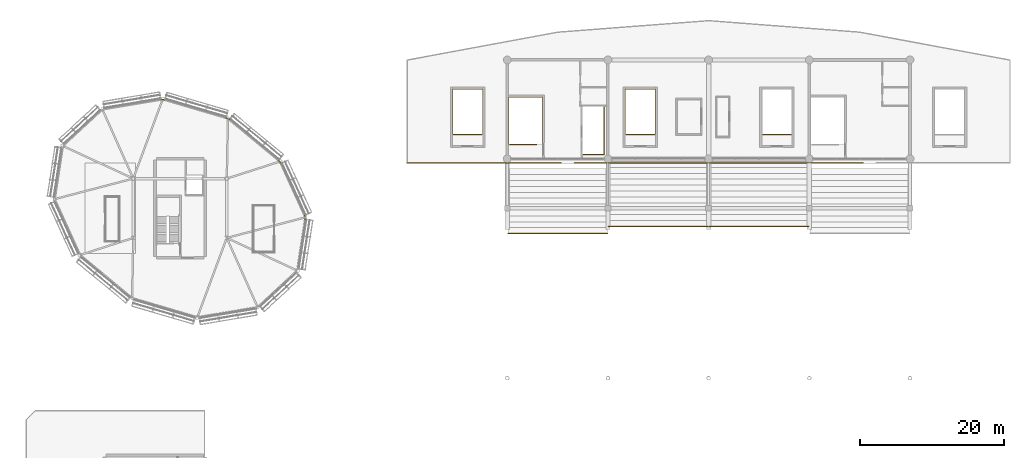
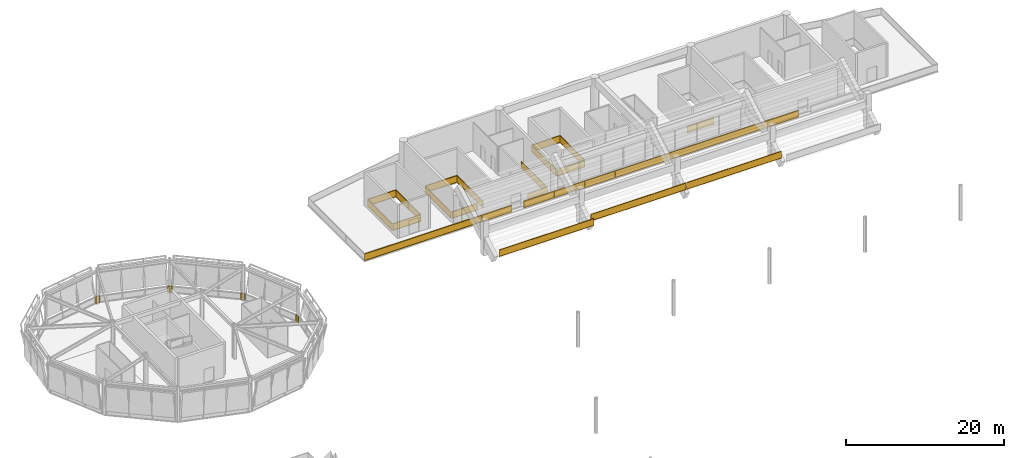
# One storey, part 87 of 90: 17 railings.
"""IFC4 building model written with IfcOpenShell, lengths in metres."""

from ifc_helpers import new_model, si_unit, direction, frame, origin, origin_2d, place, context, subcontext, project, spatial, rectangle, extrude, material, type_object, element, save


model = new_model("IFC4")

# Units and contexts
model_context = context("Model", 3, precision=1e-05, world=origin(), true_north=direction((0.0, 1.0)))
body_context = subcontext(model_context, "Body", "Model", "MODEL_VIEW")
ifc_project = project(units=[si_unit("LENGTHUNIT", "METRE"), si_unit("AREAUNIT", "SQUARE_METRE"), si_unit("VOLUMEUNIT", "CUBIC_METRE"), si_unit("PLANEANGLEUNIT", "RADIAN"), si_unit("MASSUNIT", "GRAM", prefix="KILO")], contexts=[model_context])

# Site, building, storey
site_placement = place(None, origin())
site = spatial("IfcSite", under=ifc_project, at=site_placement, CompositionType="ELEMENT")
building_placement = place(site_placement, origin())
building = spatial("IfcBuilding", under=site, at=building_placement, Name="Linyun Crest Stadium", CompositionType="ELEMENT")
storey_placement = place(building_placement, frame((0.0, 0.0, 21.0)))
storey = spatial("IfcBuildingStorey", under=building, at=storey_placement, Name="L05", CompositionType="ELEMENT", Elevation=21.0)

# Railings
ifc_material_1 = material(Name="Galvanized and powder-coated steel bowl safety barrier", Category="steel")
railing_type_1 = type_object("IfcRailingType", Name="GR02", PredefinedType="GUARDRAIL", material=ifc_material_1)
for number, where, name in (
    (1, (-27.919921875, 81.10009765625, 1.64990234375), "Bowl front safety guard GR02 60"),
    (2, (-13.919921875, 82.10009765625, 1.64990234375), "Bowl front safety guard GR02 67"),
    (3, (0.080078125, 82.10009765625, 1.64990234375), "Bowl front safety guard GR02 74"),
):
    element("IfcRailing", number, at=place(storey_placement, frame(where)), inside=storey, type_object=railing_type_1, Name=name, PredefinedType="GUARDRAIL", context=body_context, shape_type="SweptSolid", body=[
        extrude(rectangle(XDim=0.06005859375, YDim=0.06005859375, at=origin_2d()), frame((0.0, 0.0, 1.090087890625), z_axis=(1.0, 0.0, 0.0), x_axis=(0.0, 1.0, 0.0)), (0.0, 0.0, 1.0), 13.83984375),
        extrude(rectangle(XDim=0.030029296875, YDim=1.0, at=origin_2d()), frame((0.0, 0.0, 0.56005859375), z_axis=(1.0, 0.0, 0.0), x_axis=(0.0, 1.0, 0.0)), (0.0, 0.0, 1.0), 13.83984375),
        extrude(rectangle(XDim=0.06005859375, YDim=0.06005859375, at=origin_2d()), frame((0.0, 0.0, 0.030029296875), z_axis=(1.0, 0.0, 0.0), x_axis=(0.0, 1.0, 0.0)), (0.0, 0.0, 1.0), 13.83984375),
        extrude(rectangle(XDim=0.050048828125, YDim=0.050048828125, at=origin_2d()), origin(), (0.0, 0.0, 1.0), 1.1201171875),
        extrude(rectangle(XDim=0.050048828125, YDim=0.050048828125, at=origin_2d()), frame((2.306640625, 0.0, 0.0)), (0.0, 0.0, 1.0), 1.1201171875),
        extrude(rectangle(XDim=0.050048828125, YDim=0.050048828125, at=origin_2d()), frame((4.61328125, 0.0, 0.0)), (0.0, 0.0, 1.0), 1.1201171875),
        extrude(rectangle(XDim=0.050048828125, YDim=0.050048828125, at=origin_2d()), frame((6.919921875, 0.0, 0.0)), (0.0, 0.0, 1.0), 1.1201171875),
        extrude(rectangle(XDim=0.050048828125, YDim=0.050048828125, at=origin_2d()), frame((9.2265625, 0.0, 0.0)), (0.0, 0.0, 1.0), 1.1201171875),
        extrude(rectangle(XDim=0.050048828125, YDim=0.050048828125, at=origin_2d()), frame((11.533203125, 0.0, 0.0)), (0.0, 0.0, 1.0), 1.1201171875),
        extrude(rectangle(XDim=0.050048828125, YDim=0.050048828125, at=origin_2d()), frame((13.83984375, 0.0, 0.0)), (0.0, 0.0, 1.0), 1.1201171875),
    ])
railing_1_placement = place(storey_placement, frame((21.5, 90.919921875, 0.0)))
element("IfcRailing", 4, at=railing_1_placement, inside=storey, type_object=railing_type_1, Name="Slab edge balustrade GR02 230", PredefinedType="GUARDRAIL", context=body_context, shape_type="SweptSolid", body=[
    extrude(rectangle(XDim=0.06005859375, YDim=0.06005859375, at=origin_2d()), frame((0.0, 0.0, 1.090087890625), z_axis=(-1.0, 0.0, 0.0), x_axis=(0.0, -1.0, 0.0)), (0.0, 0.0, 1.0), 40.137939453125),
    extrude(rectangle(XDim=0.030029296875, YDim=1.0, at=origin_2d()), frame((0.0, 0.0, 0.56005859375), z_axis=(-1.0, 0.0, 0.0), x_axis=(0.0, -1.0, 0.0)), (0.0, 0.0, 1.0), 40.137939453125),
    extrude(rectangle(XDim=0.06005859375, YDim=0.06005859375, at=origin_2d()), frame((0.0, 0.0, 0.030029296875), z_axis=(-1.0, 0.0, 0.0), x_axis=(0.0, -1.0, 0.0)), (0.0, 0.0, 1.0), 40.137939453125),
    extrude(rectangle(XDim=0.050048828125, YDim=0.050048828125, at=origin_2d()), origin(), (0.0, 0.0, 1.0), 1.1201171875),
    extrude(rectangle(XDim=0.050048828125, YDim=0.050048828125, at=origin_2d()), frame((-4.459716796875, 0.0, 0.0)), (0.0, 0.0, 1.0), 1.1201171875),
    extrude(rectangle(XDim=0.050048828125, YDim=0.050048828125, at=origin_2d()), frame((-8.91943359375, 0.0, 0.0)), (0.0, 0.0, 1.0), 1.1201171875),
    extrude(rectangle(XDim=0.050048828125, YDim=0.050048828125, at=origin_2d()), frame((-13.37939453125, 0.0, 0.0)), (0.0, 0.0, 1.0), 1.1201171875),
    extrude(rectangle(XDim=0.050048828125, YDim=0.050048828125, at=origin_2d()), frame((-17.839111328125, 0.0, 0.0)), (0.0, 0.0, 1.0), 1.1201171875),
    extrude(rectangle(XDim=0.050048828125, YDim=0.050048828125, at=origin_2d()), frame((-22.298828125, 0.0, 0.0)), (0.0, 0.0, 1.0), 1.1201171875),
    extrude(rectangle(XDim=0.050048828125, YDim=0.050048828125, at=origin_2d()), frame((-26.758544921875, 0.0, 0.0)), (0.0, 0.0, 1.0), 1.1201171875),
    extrude(rectangle(XDim=0.050048828125, YDim=0.050048828125, at=origin_2d()), frame((-31.218505859375, 0.0, 0.0)), (0.0, 0.0, 1.0), 1.1201171875),
    extrude(rectangle(XDim=0.050048828125, YDim=0.050048828125, at=origin_2d()), frame((-35.67822265625, 0.0, 0.0)), (0.0, 0.0, 1.0), 1.1201171875),
    extrude(rectangle(XDim=0.050048828125, YDim=0.050048828125, at=origin_2d()), frame((-40.137939453125, 0.0, 0.0)), (0.0, 0.0, 1.0), 1.1201171875),
])
railing_2_placement = place(storey_placement, frame((-20.498046875, 90.919921875, 0.0)))
element("IfcRailing", 5, at=railing_2_placement, inside=storey, type_object=railing_type_1, Name="Slab edge balustrade GR02 231", PredefinedType="GUARDRAIL", context=body_context, shape_type="SweptSolid", body=[
    extrude(rectangle(XDim=0.06005859375, YDim=0.06005859375, at=origin_2d()), frame((0.0, 0.0, 1.090087890625), z_axis=(-1.0, 0.0, 0.0), x_axis=(0.0, -1.0, 0.0)), (0.0, 0.0, 1.0), 21.44189453125),
    extrude(rectangle(XDim=0.030029296875, YDim=1.0, at=origin_2d()), frame((0.0, 0.0, 0.56005859375), z_axis=(-1.0, 0.0, 0.0), x_axis=(0.0, -1.0, 0.0)), (0.0, 0.0, 1.0), 21.44189453125),
    extrude(rectangle(XDim=0.06005859375, YDim=0.06005859375, at=origin_2d()), frame((0.0, 0.0, 0.030029296875), z_axis=(-1.0, 0.0, 0.0), x_axis=(0.0, -1.0, 0.0)), (0.0, 0.0, 1.0), 21.44189453125),
    extrude(rectangle(XDim=0.050048828125, YDim=0.050048828125, at=origin_2d()), origin(), (0.0, 0.0, 1.0), 1.1201171875),
    extrude(rectangle(XDim=0.050048828125, YDim=0.050048828125, at=origin_2d()), frame((-4.288330078125, 0.0, 0.0)), (0.0, 0.0, 1.0), 1.1201171875),
    extrude(rectangle(XDim=0.050048828125, YDim=0.050048828125, at=origin_2d()), frame((-8.57666015625, 0.0, 0.0)), (0.0, 0.0, 1.0), 1.1201171875),
    extrude(rectangle(XDim=0.050048828125, YDim=0.050048828125, at=origin_2d()), frame((-12.865234375, 0.0, 0.0)), (0.0, 0.0, 1.0), 1.1201171875),
    extrude(rectangle(XDim=0.050048828125, YDim=0.050048828125, at=origin_2d()), frame((-17.153564453125, 0.0, 0.0)), (0.0, 0.0, 1.0), 1.1201171875),
    extrude(rectangle(XDim=0.050048828125, YDim=0.050048828125, at=origin_2d()), frame((-21.44189453125, 0.0, 0.0)), (0.0, 0.0, 1.0), 1.1201171875),
])
for number, where, name in (
    (6, (7.5400390625, 94.889892578125, 0.0), "Slab edge balustrade GR02 234"),
    (7, (-11.4599609375, 94.889892578125, 0.0), "Slab edge balustrade GR02 235"),
):
    element("IfcRailing", number, at=place(storey_placement, frame(where)), inside=storey, type_object=railing_type_1, Name=name, PredefinedType="GUARDRAIL", context=body_context, shape_type="SweptSolid", body=[
        extrude(rectangle(XDim=0.06005859375, YDim=0.06005859375, at=origin_2d()), frame((0.0, 0.0, 1.090087890625), z_axis=(1.0, 0.0, 0.0), x_axis=(0.0, 1.0, 0.0)), (0.0, 0.0, 1.0), 3.919921875),
        extrude(rectangle(XDim=0.030029296875, YDim=1.0, at=origin_2d()), frame((0.0, 0.0, 0.56005859375), z_axis=(1.0, 0.0, 0.0), x_axis=(0.0, 1.0, 0.0)), (0.0, 0.0, 1.0), 3.919921875),
        extrude(rectangle(XDim=0.06005859375, YDim=0.06005859375, at=origin_2d()), frame((0.0, 0.0, 0.030029296875), z_axis=(1.0, 0.0, 0.0), x_axis=(0.0, 1.0, 0.0)), (0.0, 0.0, 1.0), 3.919921875),
        extrude(rectangle(XDim=0.050048828125, YDim=0.050048828125, at=origin_2d()), origin(), (0.0, 0.0, 1.0), 1.1201171875),
        extrude(rectangle(XDim=0.050048828125, YDim=0.050048828125, at=origin_2d()), frame((3.919921875, 0.0, 0.0)), (0.0, 0.0, 1.0), 1.1201171875),
    ])
railing_3_placement = place(storey_placement, frame((-17.419921875, 92.090087890625, 0.0)))
element("IfcRailing", 8, at=railing_3_placement, inside=storey, type_object=railing_type_1, Name="Slab edge balustrade GR02 236", PredefinedType="GUARDRAIL", context=body_context, shape_type="SweptSolid", body=[
    extrude(rectangle(XDim=0.06005859375, YDim=0.06005859375, at=origin_2d()), frame((0.0, 0.0, 1.090087890625), z_axis=(1.0, 0.0, 0.0), x_axis=(0.0, 1.0, 0.0)), (0.0, 0.0, 1.0), 2.8798828125),
    extrude(rectangle(XDim=0.030029296875, YDim=1.0, at=origin_2d()), frame((0.0, 0.0, 0.56005859375), z_axis=(1.0, 0.0, 0.0), x_axis=(0.0, 1.0, 0.0)), (0.0, 0.0, 1.0), 2.8798828125),
    extrude(rectangle(XDim=0.06005859375, YDim=0.06005859375, at=origin_2d()), frame((0.0, 0.0, 0.030029296875), z_axis=(1.0, 0.0, 0.0), x_axis=(0.0, 1.0, 0.0)), (0.0, 0.0, 1.0), 2.8798828125),
    extrude(rectangle(XDim=0.06005859375, YDim=0.06005859375, at=origin_2d()), frame((2.8798828125, 0.0, 1.090087890625), z_axis=(0.0, 1.0, 0.0), x_axis=(-1.0, 0.0, 0.0)), (0.0, 0.0, 1.0), 6.5498046875),
    extrude(rectangle(XDim=0.030029296875, YDim=1.0, at=origin_2d()), frame((2.8798828125, 0.0, 0.56005859375), z_axis=(0.0, 1.0, 0.0), x_axis=(-1.0, 0.0, 0.0)), (0.0, 0.0, 1.0), 6.5498046875),
    extrude(rectangle(XDim=0.06005859375, YDim=0.06005859375, at=origin_2d()), frame((2.8798828125, 0.0, 0.030029296875), z_axis=(0.0, 1.0, 0.0), x_axis=(-1.0, 0.0, 0.0)), (0.0, 0.0, 1.0), 6.5498046875),
    extrude(rectangle(XDim=0.050048828125, YDim=0.050048828125, at=origin_2d()), origin(), (0.0, 0.0, 1.0), 1.1201171875),
    extrude(rectangle(XDim=0.050048828125, YDim=0.050048828125, at=origin_2d()), frame((2.8798828125, 0.0, 0.0)), (0.0, 0.0, 1.0), 1.1201171875),
    extrude(rectangle(XDim=0.050048828125, YDim=0.050048828125, at=origin_2d()), frame((2.8798828125, 3.27490234375, 0.0)), (0.0, 0.0, 1.0), 1.1201171875),
    extrude(rectangle(XDim=0.050048828125, YDim=0.050048828125, at=origin_2d()), frame((2.8798828125, 6.5498046875, 0.0)), (0.0, 0.0, 1.0), 1.1201171875),
])
railing_4_placement = place(storey_placement, frame((-27.68505859375, 93.4599609375, 0.0)))
element("IfcRailing", 9, at=railing_4_placement, inside=storey, type_object=railing_type_1, Name="Slab edge balustrade GR02 237", PredefinedType="GUARDRAIL", context=body_context, shape_type="SweptSolid", body=[
    extrude(rectangle(XDim=0.06005859375, YDim=0.06005859375, at=origin_2d()), frame((0.0, 0.0, 1.090087890625), z_axis=(1.0, 0.0, 0.0), x_axis=(0.0, 1.0, 0.0)), (0.0, 0.0, 1.0), 3.78515625),
    extrude(rectangle(XDim=0.030029296875, YDim=1.0, at=origin_2d()), frame((0.0, 0.0, 0.56005859375), z_axis=(1.0, 0.0, 0.0), x_axis=(0.0, 1.0, 0.0)), (0.0, 0.0, 1.0), 3.78515625),
    extrude(rectangle(XDim=0.06005859375, YDim=0.06005859375, at=origin_2d()), frame((0.0, 0.0, 0.030029296875), z_axis=(1.0, 0.0, 0.0), x_axis=(0.0, 1.0, 0.0)), (0.0, 0.0, 1.0), 3.78515625),
    extrude(rectangle(XDim=0.050048828125, YDim=0.050048828125, at=origin_2d()), origin(), (0.0, 0.0, 1.0), 1.1201171875),
    extrude(rectangle(XDim=0.050048828125, YDim=0.050048828125, at=origin_2d()), frame((3.78515625, 0.0, 0.0)), (0.0, 0.0, 1.0), 1.1201171875),
])
railing_5_placement = place(storey_placement, frame((-35.4599609375, 94.889892578125, 0.0)))
element("IfcRailing", 10, at=railing_5_placement, inside=storey, type_object=railing_type_1, Name="Slab edge balustrade GR02 238", PredefinedType="GUARDRAIL", context=body_context, shape_type="SweptSolid", body=[
    extrude(rectangle(XDim=0.06005859375, YDim=0.06005859375, at=origin_2d()), frame((0.0, 0.0, 1.090087890625), z_axis=(1.0, 0.0, 0.0), x_axis=(0.0, 1.0, 0.0)), (0.0, 0.0, 1.0), 3.919921875),
    extrude(rectangle(XDim=0.030029296875, YDim=1.0, at=origin_2d()), frame((0.0, 0.0, 0.56005859375), z_axis=(1.0, 0.0, 0.0), x_axis=(0.0, 1.0, 0.0)), (0.0, 0.0, 1.0), 3.919921875),
    extrude(rectangle(XDim=0.06005859375, YDim=0.06005859375, at=origin_2d()), frame((0.0, 0.0, 0.030029296875), z_axis=(1.0, 0.0, 0.0), x_axis=(0.0, 1.0, 0.0)), (0.0, 0.0, 1.0), 3.919921875),
    extrude(rectangle(XDim=0.050048828125, YDim=0.050048828125, at=origin_2d()), origin(), (0.0, 0.0, 1.0), 1.1201171875),
    extrude(rectangle(XDim=0.050048828125, YDim=0.050048828125, at=origin_2d()), frame((3.919921875, 0.0, 0.0)), (0.0, 0.0, 1.0), 1.1201171875),
])
railing_6_placement = place(storey_placement, frame((-76.179931640625, 99.717041015625, 0.0)))
element("IfcRailing", 11, at=railing_6_placement, inside=storey, type_object=railing_type_1, Name="Slab edge balustrade GR02 309", PredefinedType="GUARDRAIL", context=body_context, shape_type="SweptSolid", body=[
    extrude(rectangle(XDim=0.06005859375, YDim=0.06005859375, at=origin_2d()), frame((0.0, 0.0, 1.090087890625), z_axis=(0.985905166387, 0.167305119144, 0.0), x_axis=(-0.167305119144, 0.985905166387, 0.0)), (0.0, 0.0, 1.0), 0.2861328125),
    extrude(rectangle(XDim=0.030029296875, YDim=1.0, at=origin_2d()), frame((0.0, 0.0, 0.56005859375), z_axis=(0.985905166387, 0.167305119144, 0.0), x_axis=(-0.167305119144, 0.985905166387, 0.0)), (0.0, 0.0, 1.0), 0.2861328125),
    extrude(rectangle(XDim=0.06005859375, YDim=0.06005859375, at=origin_2d()), frame((0.0, 0.0, 0.030029296875), z_axis=(0.985905166387, 0.167305119144, 0.0), x_axis=(-0.167305119144, 0.985905166387, 0.0)), (0.0, 0.0, 1.0), 0.2861328125),
    extrude(rectangle(XDim=0.06005859375, YDim=0.06005859375, at=origin_2d()), frame((0.281982421875, 0.0478515625, 1.090087890625), z_axis=(0.959406194526, -0.282027931073, 0.0), x_axis=(0.282027931073, 0.959406194526, 0.0)), (0.0, 0.0, 1.0), 0.28662109375),
    extrude(rectangle(XDim=0.030029296875, YDim=1.0, at=origin_2d()), frame((0.281982421875, 0.0478515625, 0.56005859375), z_axis=(0.959406194526, -0.282027931073, 0.0), x_axis=(0.282027931073, 0.959406194526, 0.0)), (0.0, 0.0, 1.0), 0.28662109375),
    extrude(rectangle(XDim=0.06005859375, YDim=0.06005859375, at=origin_2d()), frame((0.281982421875, 0.0478515625, 0.030029296875), z_axis=(0.959406194526, -0.282027931073, 0.0), x_axis=(0.282027931073, 0.959406194526, 0.0)), (0.0, 0.0, 1.0), 0.28662109375),
    extrude(rectangle(XDim=0.050048828125, YDim=0.050048828125, at=origin_2d()), origin(), (0.0, 0.0, 1.0), 1.1201171875),
    extrude(rectangle(XDim=0.050048828125, YDim=0.050048828125, at=origin_2d()), frame((0.281982421875, 0.0478515625, 0.0)), (0.0, 0.0, 1.0), 1.1201171875),
    extrude(rectangle(XDim=0.050048828125, YDim=0.050048828125, at=origin_2d()), frame((0.556884765625, -0.032958984375, 0.0)), (0.0, 0.0, 1.0), 1.1201171875),
])
railing_7_placement = place(storey_placement, frame((-67.138916015625, 97.18994140625, 0.0)))
element("IfcRailing", 12, at=railing_7_placement, inside=storey, type_object=railing_type_1, Name="Slab edge balustrade GR02 310", PredefinedType="GUARDRAIL", context=body_context, shape_type="SweptSolid", body=[
    extrude(rectangle(XDim=0.06005859375, YDim=0.06005859375, at=origin_2d()), frame((0.0, 0.0, 1.090087890625), z_axis=(0.959446583049, -0.281890500506, 0.0), x_axis=(0.281890500506, 0.959446583049, 0.0)), (0.0, 0.0, 1.0), 0.28759765625),
    extrude(rectangle(XDim=0.030029296875, YDim=1.0, at=origin_2d()), frame((0.0, 0.0, 0.56005859375), z_axis=(0.959446583049, -0.281890500506, 0.0), x_axis=(0.281890500506, 0.959446583049, 0.0)), (0.0, 0.0, 1.0), 0.28759765625),
    extrude(rectangle(XDim=0.06005859375, YDim=0.06005859375, at=origin_2d()), frame((0.0, 0.0, 0.030029296875), z_axis=(0.959446583049, -0.281890500506, 0.0), x_axis=(0.281890500506, 0.959446583049, 0.0)), (0.0, 0.0, 1.0), 0.28759765625),
    extrude(rectangle(XDim=0.06005859375, YDim=0.06005859375, at=origin_2d()), frame((0.27587890625, -0.0810546875, 1.090087890625), z_axis=(0.771758653069, -0.635915545818, 0.0), x_axis=(0.635915545818, 0.771758653069, 0.0)), (0.0, 0.0, 1.0), 0.28759765625),
    extrude(rectangle(XDim=0.030029296875, YDim=1.0, at=origin_2d()), frame((0.27587890625, -0.0810546875, 0.56005859375), z_axis=(0.771758653069, -0.635915545818, 0.0), x_axis=(0.635915545818, 0.771758653069, 0.0)), (0.0, 0.0, 1.0), 0.28759765625),
    extrude(rectangle(XDim=0.06005859375, YDim=0.06005859375, at=origin_2d()), frame((0.27587890625, -0.0810546875, 0.030029296875), z_axis=(0.771758653069, -0.635915545818, 0.0), x_axis=(0.635915545818, 0.771758653069, 0.0)), (0.0, 0.0, 1.0), 0.28759765625),
    extrude(rectangle(XDim=0.050048828125, YDim=0.050048828125, at=origin_2d()), origin(), (0.0, 0.0, 1.0), 1.1201171875),
    extrude(rectangle(XDim=0.050048828125, YDim=0.050048828125, at=origin_2d()), frame((0.27587890625, -0.0810546875, 0.0)), (0.0, 0.0, 1.0), 1.1201171875),
    extrude(rectangle(XDim=0.050048828125, YDim=0.050048828125, at=origin_2d()), frame((0.497802734375, -0.263916015625, 0.0)), (0.0, 0.0, 1.0), 1.1201171875),
])
railing_8_placement = place(storey_placement, frame((-59.827880859375, 91.284912109375, 0.0)))
element("IfcRailing", 13, at=railing_8_placement, inside=storey, type_object=railing_type_1, Name="Slab edge balustrade GR02 311", PredefinedType="GUARDRAIL", context=body_context, shape_type="SweptSolid", body=[
    extrude(rectangle(XDim=0.06005859375, YDim=0.06005859375, at=origin_2d()), frame((0.0, 0.0, 1.090087890625), z_axis=(0.77066950633, -0.637235052404, 0.0), x_axis=(0.637235052404, 0.77066950633, 0.0)), (0.0, 0.0, 1.0), 0.285400390625),
    extrude(rectangle(XDim=0.030029296875, YDim=1.0, at=origin_2d()), frame((0.0, 0.0, 0.56005859375), z_axis=(0.77066950633, -0.637235052404, 0.0), x_axis=(0.637235052404, 0.77066950633, 0.0)), (0.0, 0.0, 1.0), 0.285400390625),
    extrude(rectangle(XDim=0.06005859375, YDim=0.06005859375, at=origin_2d()), frame((0.0, 0.0, 0.030029296875), z_axis=(0.77066950633, -0.637235052404, 0.0), x_axis=(0.637235052404, 0.77066950633, 0.0)), (0.0, 0.0, 1.0), 0.285400390625),
    extrude(rectangle(XDim=0.06005859375, YDim=0.06005859375, at=origin_2d()), frame((0.219970703125, -0.181884765625, 1.090087890625), z_axis=(0.414572445131, -0.910016311798, 0.0), x_axis=(0.910016311798, 0.414572445131, 0.0)), (0.0, 0.0, 1.0), 0.286865234375),
    extrude(rectangle(XDim=0.030029296875, YDim=1.0, at=origin_2d()), frame((0.219970703125, -0.181884765625, 0.56005859375), z_axis=(0.414572445131, -0.910016311798, 0.0), x_axis=(0.910016311798, 0.414572445131, 0.0)), (0.0, 0.0, 1.0), 0.286865234375),
    extrude(rectangle(XDim=0.06005859375, YDim=0.06005859375, at=origin_2d()), frame((0.219970703125, -0.181884765625, 0.030029296875), z_axis=(0.414572445131, -0.910016311798, 0.0), x_axis=(0.910016311798, 0.414572445131, 0.0)), (0.0, 0.0, 1.0), 0.286865234375),
    extrude(rectangle(XDim=0.050048828125, YDim=0.050048828125, at=origin_2d()), origin(), (0.0, 0.0, 1.0), 1.1201171875),
    extrude(rectangle(XDim=0.050048828125, YDim=0.050048828125, at=origin_2d()), frame((0.219970703125, -0.181884765625, 0.0)), (0.0, 0.0, 1.0), 1.1201171875),
    extrude(rectangle(XDim=0.050048828125, YDim=0.050048828125, at=origin_2d()), frame((0.3388671875, -0.44287109375, 0.0)), (0.0, 0.0, 1.0), 1.1201171875),
])
railing_9_placement = place(storey_placement, frame((-56.199951171875, 83.6201171875, 0.0)))
element("IfcRailing", 14, at=railing_9_placement, inside=storey, type_object=railing_type_1, Name="Slab edge balustrade GR02 312", PredefinedType="GUARDRAIL", context=body_context, shape_type="SweptSolid", body=[
    extrude(rectangle(XDim=0.06005859375, YDim=0.06005859375, at=origin_2d()), frame((0.0, 0.0, 1.090087890625), z_axis=(0.414063441435, -0.910248024698, 0.0), x_axis=(0.910248024698, 0.414063441435, 0.0)), (0.0, 0.0, 1.0), 0.282470703125),
    extrude(rectangle(XDim=0.030029296875, YDim=1.0, at=origin_2d()), frame((0.0, 0.0, 0.56005859375), z_axis=(0.414063441435, -0.910248024698, 0.0), x_axis=(0.910248024698, 0.414063441435, 0.0)), (0.0, 0.0, 1.0), 0.282470703125),
    extrude(rectangle(XDim=0.06005859375, YDim=0.06005859375, at=origin_2d()), frame((0.0, 0.0, 0.030029296875), z_axis=(0.414063441435, -0.910248024698, 0.0), x_axis=(0.910248024698, 0.414063441435, 0.0)), (0.0, 0.0, 1.0), 0.282470703125),
    extrude(rectangle(XDim=0.06005859375, YDim=0.06005859375, at=origin_2d()), frame((0.116943359375, -0.257080078125, 1.090087890625), z_axis=(-0.1521871378, -0.988351696052, 0.0), x_axis=(0.988351696052, -0.1521871378, 0.0)), (0.0, 0.0, 1.0), 0.2822265625),
    extrude(rectangle(XDim=0.030029296875, YDim=1.0, at=origin_2d()), frame((0.116943359375, -0.257080078125, 0.56005859375), z_axis=(-0.1521871378, -0.988351696052, 0.0), x_axis=(0.988351696052, -0.1521871378, 0.0)), (0.0, 0.0, 1.0), 0.2822265625),
    extrude(rectangle(XDim=0.06005859375, YDim=0.06005859375, at=origin_2d()), frame((0.116943359375, -0.257080078125, 0.030029296875), z_axis=(-0.1521871378, -0.988351696052, 0.0), x_axis=(0.988351696052, -0.1521871378, 0.0)), (0.0, 0.0, 1.0), 0.2822265625),
    extrude(rectangle(XDim=0.050048828125, YDim=0.050048828125, at=origin_2d()), origin(), (0.0, 0.0, 1.0), 1.1201171875),
    extrude(rectangle(XDim=0.050048828125, YDim=0.050048828125, at=origin_2d()), frame((0.116943359375, -0.257080078125, 0.0)), (0.0, 0.0, 1.0), 1.1201171875),
    extrude(rectangle(XDim=0.050048828125, YDim=0.050048828125, at=origin_2d()), frame((0.073974609375, -0.5361328125, 0.0)), (0.0, 0.0, 1.0), 1.1201171875),
])
ifc_material_2 = material(Name="Painted steel stairwell safety guard", Category="steel")
railing_type_2 = type_object("IfcRailingType", Name="GR03", PredefinedType="GUARDRAIL", material=ifc_material_2)
railing_10_placement = place(storey_placement, frame((-27.794921875, 93.5, 0.0)))
element("IfcRailing", 15, at=railing_10_placement, inside=storey, type_object=railing_type_2, Name="STR-07-L04 top well guard", PredefinedType="GUARDRAIL", context=body_context, shape_type="SweptSolid", body=[
    extrude(rectangle(XDim=0.06005859375, YDim=0.06005859375, at=origin_2d()), frame((0.0, 0.0, 1.090087890625), z_axis=(0.0, 1.0, 0.0), x_axis=(-1.0, 0.0, 0.0)), (0.0, 0.0, 1.0), 6.570068359375),
    extrude(rectangle(XDim=0.030029296875, YDim=1.0, at=origin_2d()), frame((0.0, 0.0, 0.56005859375), z_axis=(0.0, 1.0, 0.0), x_axis=(-1.0, 0.0, 0.0)), (0.0, 0.0, 1.0), 6.570068359375),
    extrude(rectangle(XDim=0.06005859375, YDim=0.06005859375, at=origin_2d()), frame((0.0, 0.0, 0.030029296875), z_axis=(0.0, 1.0, 0.0), x_axis=(-1.0, 0.0, 0.0)), (0.0, 0.0, 1.0), 6.570068359375),
    extrude(rectangle(XDim=0.06005859375, YDim=0.06005859375, at=origin_2d()), frame((0.0, 6.570068359375, 1.090087890625), z_axis=(1.0, 0.0, 0.0), x_axis=(0.0, 1.0, 0.0)), (0.0, 0.0, 1.0), 4.6650390625),
    extrude(rectangle(XDim=0.030029296875, YDim=1.0, at=origin_2d()), frame((0.0, 6.570068359375, 0.56005859375), z_axis=(1.0, 0.0, 0.0), x_axis=(0.0, 1.0, 0.0)), (0.0, 0.0, 1.0), 4.6650390625),
    extrude(rectangle(XDim=0.06005859375, YDim=0.06005859375, at=origin_2d()), frame((0.0, 6.570068359375, 0.030029296875), z_axis=(1.0, 0.0, 0.0), x_axis=(0.0, 1.0, 0.0)), (0.0, 0.0, 1.0), 4.6650390625),
    extrude(rectangle(XDim=0.06005859375, YDim=0.06005859375, at=origin_2d()), frame((4.6650390625, 6.570068359375, 1.090087890625), z_axis=(0.0, -1.0, 0.0), x_axis=(1.0, 0.0, 0.0)), (0.0, 0.0, 1.0), 6.570068359375),
    extrude(rectangle(XDim=0.030029296875, YDim=1.0, at=origin_2d()), frame((4.6650390625, 6.570068359375, 0.56005859375), z_axis=(0.0, -1.0, 0.0), x_axis=(1.0, 0.0, 0.0)), (0.0, 0.0, 1.0), 6.570068359375),
    extrude(rectangle(XDim=0.06005859375, YDim=0.06005859375, at=origin_2d()), frame((4.6650390625, 6.570068359375, 0.030029296875), z_axis=(0.0, -1.0, 0.0), x_axis=(1.0, 0.0, 0.0)), (0.0, 0.0, 1.0), 6.570068359375),
    extrude(rectangle(XDim=0.050048828125, YDim=0.050048828125, at=origin_2d()), origin(), (0.0, 0.0, 1.0), 1.1201171875),
    extrude(rectangle(XDim=0.050048828125, YDim=0.050048828125, at=origin_2d()), frame((0.0, 1.642578125, 0.0)), (0.0, 0.0, 1.0), 1.1201171875),
    extrude(rectangle(XDim=0.050048828125, YDim=0.050048828125, at=origin_2d()), frame((0.0, 3.28515625, 0.0)), (0.0, 0.0, 1.0), 1.1201171875),
    extrude(rectangle(XDim=0.050048828125, YDim=0.050048828125, at=origin_2d()), frame((0.0, 4.927490234375, 0.0)), (0.0, 0.0, 1.0), 1.1201171875),
    extrude(rectangle(XDim=0.050048828125, YDim=0.050048828125, at=origin_2d()), frame((0.0, 6.570068359375, 0.0)), (0.0, 0.0, 1.0), 1.1201171875),
    extrude(rectangle(XDim=0.050048828125, YDim=0.050048828125, at=origin_2d()), frame((1.554931640625, 6.570068359375, 0.0)), (0.0, 0.0, 1.0), 1.1201171875),
    extrude(rectangle(XDim=0.050048828125, YDim=0.050048828125, at=origin_2d()), frame((3.110107421875, 6.570068359375, 0.0)), (0.0, 0.0, 1.0), 1.1201171875),
    extrude(rectangle(XDim=0.050048828125, YDim=0.050048828125, at=origin_2d()), frame((4.6650390625, 6.570068359375, 0.0)), (0.0, 0.0, 1.0), 1.1201171875),
    extrude(rectangle(XDim=0.050048828125, YDim=0.050048828125, at=origin_2d()), frame((4.6650390625, 4.927490234375, 0.0)), (0.0, 0.0, 1.0), 1.1201171875),
    extrude(rectangle(XDim=0.050048828125, YDim=0.050048828125, at=origin_2d()), frame((4.6650390625, 3.28515625, 0.0)), (0.0, 0.0, 1.0), 1.1201171875),
    extrude(rectangle(XDim=0.050048828125, YDim=0.050048828125, at=origin_2d()), frame((4.6650390625, 1.642578125, 0.0)), (0.0, 0.0, 1.0), 1.1201171875),
    extrude(rectangle(XDim=0.050048828125, YDim=0.050048828125, at=origin_2d()), frame((4.6650390625, 0.0, 0.0)), (0.0, 0.0, 1.0), 1.1201171875),
])
railing_11_placement = place(storey_placement, frame((-35.570068359375, 94.929931640625, 0.0)))
element("IfcRailing", 16, at=railing_11_placement, inside=storey, type_object=railing_type_2, Name="STR-23-L04 top well guard", PredefinedType="GUARDRAIL", context=body_context, shape_type="SweptSolid", body=[
    extrude(rectangle(XDim=0.06005859375, YDim=0.06005859375, at=origin_2d()), frame((0.0, 0.0, 1.090087890625), z_axis=(0.0, 1.0, 0.0), x_axis=(-1.0, 0.0, 0.0)), (0.0, 0.0, 1.0), 6.239990234375),
    extrude(rectangle(XDim=0.030029296875, YDim=1.0, at=origin_2d()), frame((0.0, 0.0, 0.56005859375), z_axis=(0.0, 1.0, 0.0), x_axis=(-1.0, 0.0, 0.0)), (0.0, 0.0, 1.0), 6.239990234375),
    extrude(rectangle(XDim=0.06005859375, YDim=0.06005859375, at=origin_2d()), frame((0.0, 0.0, 0.030029296875), z_axis=(0.0, 1.0, 0.0), x_axis=(-1.0, 0.0, 0.0)), (0.0, 0.0, 1.0), 6.239990234375),
    extrude(rectangle(XDim=0.06005859375, YDim=0.06005859375, at=origin_2d()), frame((0.0, 6.239990234375, 1.090087890625), z_axis=(1.0, 0.0, 0.0), x_axis=(0.0, 1.0, 0.0)), (0.0, 0.0, 1.0), 4.14013671875),
    extrude(rectangle(XDim=0.030029296875, YDim=1.0, at=origin_2d()), frame((0.0, 6.239990234375, 0.56005859375), z_axis=(1.0, 0.0, 0.0), x_axis=(0.0, 1.0, 0.0)), (0.0, 0.0, 1.0), 4.14013671875),
    extrude(rectangle(XDim=0.06005859375, YDim=0.06005859375, at=origin_2d()), frame((0.0, 6.239990234375, 0.030029296875), z_axis=(1.0, 0.0, 0.0), x_axis=(0.0, 1.0, 0.0)), (0.0, 0.0, 1.0), 4.14013671875),
    extrude(rectangle(XDim=0.06005859375, YDim=0.06005859375, at=origin_2d()), frame((4.14013671875, 6.239990234375, 1.090087890625), z_axis=(0.0, -1.0, 0.0), x_axis=(1.0, 0.0, 0.0)), (0.0, 0.0, 1.0), 6.239990234375),
    extrude(rectangle(XDim=0.030029296875, YDim=1.0, at=origin_2d()), frame((4.14013671875, 6.239990234375, 0.56005859375), z_axis=(0.0, -1.0, 0.0), x_axis=(1.0, 0.0, 0.0)), (0.0, 0.0, 1.0), 6.239990234375),
    extrude(rectangle(XDim=0.06005859375, YDim=0.06005859375, at=origin_2d()), frame((4.14013671875, 6.239990234375, 0.030029296875), z_axis=(0.0, -1.0, 0.0), x_axis=(1.0, 0.0, 0.0)), (0.0, 0.0, 1.0), 6.239990234375),
    extrude(rectangle(XDim=0.050048828125, YDim=0.050048828125, at=origin_2d()), origin(), (0.0, 0.0, 1.0), 1.1201171875),
    extrude(rectangle(XDim=0.050048828125, YDim=0.050048828125, at=origin_2d()), frame((0.0, 1.56005859375, 0.0)), (0.0, 0.0, 1.0), 1.1201171875),
    extrude(rectangle(XDim=0.050048828125, YDim=0.050048828125, at=origin_2d()), frame((0.0, 3.1201171875, 0.0)), (0.0, 0.0, 1.0), 1.1201171875),
    extrude(rectangle(XDim=0.050048828125, YDim=0.050048828125, at=origin_2d()), frame((0.0, 4.679931640625, 0.0)), (0.0, 0.0, 1.0), 1.1201171875),
    extrude(rectangle(XDim=0.050048828125, YDim=0.050048828125, at=origin_2d()), frame((0.0, 6.239990234375, 0.0)), (0.0, 0.0, 1.0), 1.1201171875),
    extrude(rectangle(XDim=0.050048828125, YDim=0.050048828125, at=origin_2d()), frame((1.380126953125, 6.239990234375, 0.0)), (0.0, 0.0, 1.0), 1.1201171875),
    extrude(rectangle(XDim=0.050048828125, YDim=0.050048828125, at=origin_2d()), frame((2.760009765625, 6.239990234375, 0.0)), (0.0, 0.0, 1.0), 1.1201171875),
    extrude(rectangle(XDim=0.050048828125, YDim=0.050048828125, at=origin_2d()), frame((4.14013671875, 6.239990234375, 0.0)), (0.0, 0.0, 1.0), 1.1201171875),
    extrude(rectangle(XDim=0.050048828125, YDim=0.050048828125, at=origin_2d()), frame((4.14013671875, 4.679931640625, 0.0)), (0.0, 0.0, 1.0), 1.1201171875),
    extrude(rectangle(XDim=0.050048828125, YDim=0.050048828125, at=origin_2d()), frame((4.14013671875, 3.1201171875, 0.0)), (0.0, 0.0, 1.0), 1.1201171875),
    extrude(rectangle(XDim=0.050048828125, YDim=0.050048828125, at=origin_2d()), frame((4.14013671875, 1.56005859375, 0.0)), (0.0, 0.0, 1.0), 1.1201171875),
    extrude(rectangle(XDim=0.050048828125, YDim=0.050048828125, at=origin_2d()), frame((4.14013671875, 0.0, 0.0)), (0.0, 0.0, 1.0), 1.1201171875),
])
railing_12_placement = place(storey_placement, frame((-11.570068359375, 94.929931640625, 0.0)))
element("IfcRailing", 17, at=railing_12_placement, inside=storey, type_object=railing_type_2, Name="STR-24-L04 top well guard", PredefinedType="GUARDRAIL", context=body_context, shape_type="SweptSolid", body=[
    extrude(rectangle(XDim=0.06005859375, YDim=0.06005859375, at=origin_2d()), frame((0.0, 0.0, 1.090087890625), z_axis=(0.0, 1.0, 0.0), x_axis=(-1.0, 0.0, 0.0)), (0.0, 0.0, 1.0), 6.239990234375),
    extrude(rectangle(XDim=0.030029296875, YDim=1.0, at=origin_2d()), frame((0.0, 0.0, 0.56005859375), z_axis=(0.0, 1.0, 0.0), x_axis=(-1.0, 0.0, 0.0)), (0.0, 0.0, 1.0), 6.239990234375),
    extrude(rectangle(XDim=0.06005859375, YDim=0.06005859375, at=origin_2d()), frame((0.0, 0.0, 0.030029296875), z_axis=(0.0, 1.0, 0.0), x_axis=(-1.0, 0.0, 0.0)), (0.0, 0.0, 1.0), 6.239990234375),
    extrude(rectangle(XDim=0.06005859375, YDim=0.06005859375, at=origin_2d()), frame((0.0, 6.239990234375, 1.090087890625), z_axis=(1.0, 0.0, 0.0), x_axis=(0.0, 1.0, 0.0)), (0.0, 0.0, 1.0), 4.14013671875),
    extrude(rectangle(XDim=0.030029296875, YDim=1.0, at=origin_2d()), frame((0.0, 6.239990234375, 0.56005859375), z_axis=(1.0, 0.0, 0.0), x_axis=(0.0, 1.0, 0.0)), (0.0, 0.0, 1.0), 4.14013671875),
    extrude(rectangle(XDim=0.06005859375, YDim=0.06005859375, at=origin_2d()), frame((0.0, 6.239990234375, 0.030029296875), z_axis=(1.0, 0.0, 0.0), x_axis=(0.0, 1.0, 0.0)), (0.0, 0.0, 1.0), 4.14013671875),
    extrude(rectangle(XDim=0.06005859375, YDim=0.06005859375, at=origin_2d()), frame((4.14013671875, 6.239990234375, 1.090087890625), z_axis=(0.0, -1.0, 0.0), x_axis=(1.0, 0.0, 0.0)), (0.0, 0.0, 1.0), 6.239990234375),
    extrude(rectangle(XDim=0.030029296875, YDim=1.0, at=origin_2d()), frame((4.14013671875, 6.239990234375, 0.56005859375), z_axis=(0.0, -1.0, 0.0), x_axis=(1.0, 0.0, 0.0)), (0.0, 0.0, 1.0), 6.239990234375),
    extrude(rectangle(XDim=0.06005859375, YDim=0.06005859375, at=origin_2d()), frame((4.14013671875, 6.239990234375, 0.030029296875), z_axis=(0.0, -1.0, 0.0), x_axis=(1.0, 0.0, 0.0)), (0.0, 0.0, 1.0), 6.239990234375),
    extrude(rectangle(XDim=0.050048828125, YDim=0.050048828125, at=origin_2d()), origin(), (0.0, 0.0, 1.0), 1.1201171875),
    extrude(rectangle(XDim=0.050048828125, YDim=0.050048828125, at=origin_2d()), frame((0.0, 1.56005859375, 0.0)), (0.0, 0.0, 1.0), 1.1201171875),
    extrude(rectangle(XDim=0.050048828125, YDim=0.050048828125, at=origin_2d()), frame((0.0, 3.1201171875, 0.0)), (0.0, 0.0, 1.0), 1.1201171875),
    extrude(rectangle(XDim=0.050048828125, YDim=0.050048828125, at=origin_2d()), frame((0.0, 4.679931640625, 0.0)), (0.0, 0.0, 1.0), 1.1201171875),
    extrude(rectangle(XDim=0.050048828125, YDim=0.050048828125, at=origin_2d()), frame((0.0, 6.239990234375, 0.0)), (0.0, 0.0, 1.0), 1.1201171875),
    extrude(rectangle(XDim=0.050048828125, YDim=0.050048828125, at=origin_2d()), frame((1.380126953125, 6.239990234375, 0.0)), (0.0, 0.0, 1.0), 1.1201171875),
    extrude(rectangle(XDim=0.050048828125, YDim=0.050048828125, at=origin_2d()), frame((2.760009765625, 6.239990234375, 0.0)), (0.0, 0.0, 1.0), 1.1201171875),
    extrude(rectangle(XDim=0.050048828125, YDim=0.050048828125, at=origin_2d()), frame((4.14013671875, 6.239990234375, 0.0)), (0.0, 0.0, 1.0), 1.1201171875),
    extrude(rectangle(XDim=0.050048828125, YDim=0.050048828125, at=origin_2d()), frame((4.14013671875, 4.679931640625, 0.0)), (0.0, 0.0, 1.0), 1.1201171875),
    extrude(rectangle(XDim=0.050048828125, YDim=0.050048828125, at=origin_2d()), frame((4.14013671875, 3.1201171875, 0.0)), (0.0, 0.0, 1.0), 1.1201171875),
    extrude(rectangle(XDim=0.050048828125, YDim=0.050048828125, at=origin_2d()), frame((4.14013671875, 1.56005859375, 0.0)), (0.0, 0.0, 1.0), 1.1201171875),
    extrude(rectangle(XDim=0.050048828125, YDim=0.050048828125, at=origin_2d()), frame((4.14013671875, 0.0, 0.0)), (0.0, 0.0, 1.0), 1.1201171875),
])

save(model, "model.ifc")
